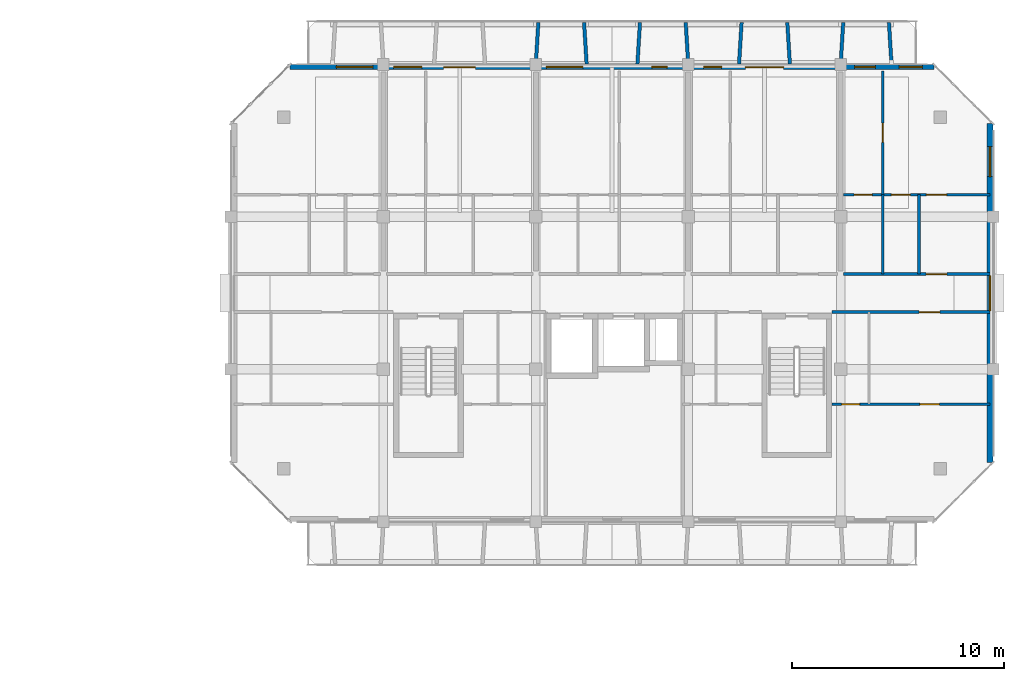
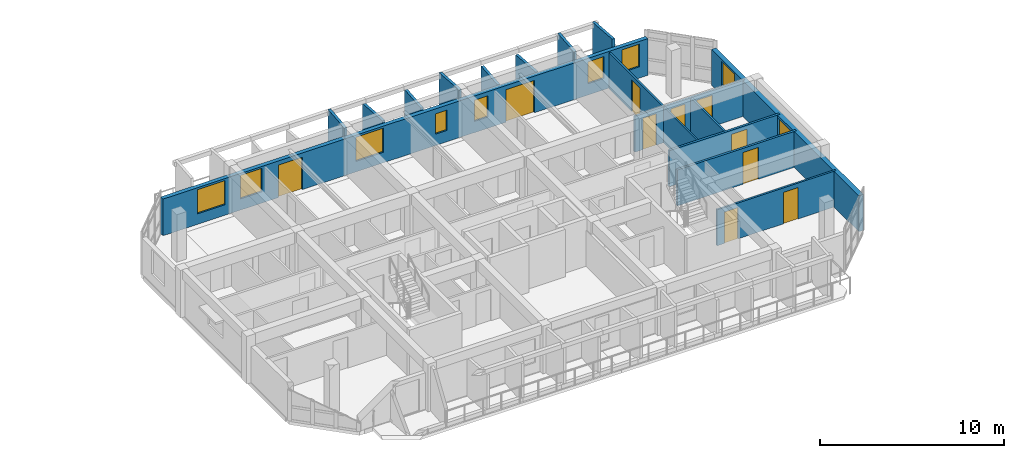
# One storey, part 27 of 43: 17 walls, 10 doors, 9 windows, 19 openings.
"""IFC4 building model written with IfcOpenShell, lengths in metres."""

from ifc_helpers import new_model, si_unit, direction, frame, frame_2d, origin, place, context, subcontext, project, spatial, rectangle, extrude, material, layer, layer_set, type_object, element, fill, save


model = new_model("IFC4")

# Units and contexts
model_context = context("Model", 3, precision=1e-05, world=origin(), true_north=direction((0.0, 1.0)))
body_context = subcontext(model_context, "Body", "Model", "MODEL_VIEW")
ifc_project = project(units=[si_unit("LENGTHUNIT", "METRE"), si_unit("AREAUNIT", "SQUARE_METRE"), si_unit("VOLUMEUNIT", "CUBIC_METRE"), si_unit("PLANEANGLEUNIT", "RADIAN"), si_unit("MASSUNIT", "GRAM", prefix="KILO")], contexts=[model_context])

# Site, building, storey
site_placement = place(None, origin())
site = spatial("IfcSite", under=ifc_project, at=site_placement, CompositionType="ELEMENT")
building_placement = place(site_placement, origin())
building = spatial("IfcBuilding", under=site, at=building_placement, Name="Ochrevale Crest", CompositionType="ELEMENT")
storey_placement = place(building_placement, frame((0.0, 0.0, 15.0)))
storey = spatial("IfcBuildingStorey", under=building, at=storey_placement, Name="L04", CompositionType="ELEMENT", Elevation=15.0)

# Wall, opening, door
ifc_material_1 = material(Name="Gypsum plasterboard", Category="gypsum")
ifc_layer_1 = layer(ifc_material_1, 0.139892578125)
ifc_layer_set_1 = layer_set([ifc_layer_1], Name="Gypsum plasterboard")
wall_type_1 = type_object("IfcWallType", Name="WL-COR-140", PredefinedType="PARTITIONING", material=ifc_layer_set_1)
wall_1_placement = place(storey_placement, frame((158.5400390625, 83.699951171875, 0.0), z_axis=(0.0, 0.0, 1.0), x_axis=(1.0, 0.0, 0.0)))
wall_1 = element("IfcWall", 1, at=wall_1_placement, inside=storey, type_object=wall_type_1, Name="Apartment D-L04-U5 corridor wall", PredefinedType="PARTITIONING", context=body_context, shape_type="SweptSolid", body=[
    extrude(rectangle(XDim=6.919921875, YDim=0.139892578125, at=frame_2d((3.4599609375, 0.0))), origin(), (0.0, 0.0, 1.0), 2.3798828125),
])
opening_1_placement = place(wall_1_placement, frame((4.875, 0.0, 0.0), z_axis=(0.0, 0.0, 1.0), x_axis=(-1.0, 0.0, 0.0)))
opening_1 = element("IfcOpeningElement", 2, at=opening_1_placement, cuts=wall_1, Name="Opening FD01", PredefinedType="OPENING", context=body_context, shape_type="SweptSolid", body=[
    extrude(rectangle(XDim=0.97998046875, YDim=2.10009765625, at=frame_2d((0.489990234375, 1.050048828125))), frame((0.0, 0.080078125, 0.0), z_axis=(0.0, -1.0, 0.0), x_axis=(1.0, 0.0, 0.0)), (0.0, 0.0, 1.0), 0.159912109375),
])
ifc_material_2 = material(Name="Solid-core FSC hardwood", Category="wood")
door_type_1 = type_object("IfcDoorType", Name="DR-APT-950", OperationType="NOTDEFINED", PredefinedType="DOOR", material=ifc_material_2)
door_1_placement = place(opening_1_placement, origin())
door_1 = element("IfcDoor", 3, at=door_1_placement, inside=storey, type_object=door_type_1, Name="Apartment D-L04-U5 entrance door", OperationType="SINGLE_SWING_RIGHT", OverallHeight=2.10009765625, OverallWidth=0.97998046875, PredefinedType="DOOR", context=body_context, shape_type="SweptSolid", body=[
    extrude(rectangle(XDim=0.97998046875, YDim=2.10009765625, at=frame_2d((0.489990234375, 1.050048828125))), frame((0.0, 0.02490234375, 0.0), z_axis=(0.0, -1.0, 0.0), x_axis=(1.0, 0.0, 0.0)), (0.0, 0.0, 1.0), 0.050048828125),
])
fill(opening_1, door_1)

wall_2_placement = place(storey_placement, frame((157.989990234375, 81.89990234375, 0.0), z_axis=(0.0, 0.0, 1.0), x_axis=(1.0, 0.0, 0.0)))
wall_2 = element("IfcWall", 4, at=wall_2_placement, inside=storey, type_object=wall_type_1, Name="Suite D-L04-CE corridor wall", PredefinedType="PARTITIONING", context=body_context, shape_type="SweptSolid", body=[
    extrude(rectangle(XDim=7.469970703125, YDim=0.139892578125, at=frame_2d((3.73486328125, 0.0))), origin(), (0.0, 0.0, 1.0), 2.3798828125),
])
opening_2_placement = place(wall_2_placement, frame((5.10009765625, 0.0, 0.0), z_axis=(0.0, 0.0, 1.0), x_axis=(-1.0, 0.0, 0.0)))
opening_2 = element("IfcOpeningElement", 5, at=opening_2_placement, cuts=wall_2, Name="Opening FD01", PredefinedType="OPENING", context=body_context, shape_type="SweptSolid", body=[
    extrude(rectangle(XDim=0.97998046875, YDim=2.10009765625, at=frame_2d((0.489990234375, 1.050048828125))), frame((0.0, 0.080078125, 0.0), z_axis=(0.0, -1.0, 0.0), x_axis=(1.0, 0.0, 0.0)), (0.0, 0.0, 1.0), 0.159912109375),
])
door_2_placement = place(opening_2_placement, origin())
door_2 = element("IfcDoor", 6, at=door_2_placement, inside=storey, type_object=door_type_1, Name="Suite D-L04-CE entrance door", OperationType="SINGLE_SWING_RIGHT", OverallHeight=2.10009765625, OverallWidth=0.97998046875, PredefinedType="DOOR", context=body_context, shape_type="SweptSolid", body=[
    extrude(rectangle(XDim=0.97998046875, YDim=2.10009765625, at=frame_2d((0.489990234375, 1.050048828125))), frame((0.0, 0.02490234375, 0.0), z_axis=(0.0, -1.0, 0.0), x_axis=(1.0, 0.0, 0.0)), (0.0, 0.0, 1.0), 0.050048828125),
])
fill(opening_2, door_2)

# Wall, openings, windows
ifc_material_3 = material(Name="Clay face brickwork", Category="masonry")
ifc_layer_2 = layer(ifc_material_3, 0.2900390625)
ifc_layer_set_2 = layer_set([ifc_layer_2], Name="Clay face brickwork")
wall_type_2 = type_object("IfcWallType", Name="WL-EXT-BRICK-290", PredefinedType="SOLIDWALL", material=ifc_layer_set_2)
wall_3_placement = place(storey_placement, frame((165.455078125, 74.800048828125, 0.0), z_axis=(0.0, 0.0, 1.0), x_axis=(0.0, 1.0, 0.0)))
wall_3 = element("IfcWall", 7, at=wall_3_placement, inside=storey, type_object=wall_type_2, Name="Block D L04 external facade wall E3", PredefinedType="SOLIDWALL", context=body_context, shape_type="SweptSolid", body=[
    extrude(rectangle(XDim=16.0, YDim=0.2900390625, at=frame_2d((8.0, 0.0))), origin(), (0.0, 0.0, 1.0), 2.3798828125),
])
opening_3_placement = place(wall_3_placement, frame((7.175048828125, 0.0, 1.050048828125)))
opening_3 = element("IfcOpeningElement", 8, at=opening_3_placement, cuts=wall_3, Name="Opening W19", PredefinedType="OPENING", context=body_context, shape_type="SweptSolid", body=[
    extrude(rectangle(XDim=1.64990234375, YDim=1.14990234375, at=frame_2d((0.824951171875, 0.574951171875))), frame((0.0, 0.155029296875, 0.0), z_axis=(0.0, -1.0, 0.0), x_axis=(1.0, 0.0, 0.0)), (0.0, 0.0, 1.0), 0.31005859375),
])
opening_4_placement = place(wall_3_placement, frame((13.5, 0.0, 0.669921875)))
opening_4 = element("IfcOpeningElement", 9, at=opening_4_placement, cuts=wall_3, Name="Opening W31", PredefinedType="OPENING", context=body_context, shape_type="SweptSolid", body=[
    extrude(rectangle(XDim=1.419921875, YDim=1.60009765625, at=frame_2d((0.7099609375, 0.800048828125))), frame((0.0, 0.155029296875, 0.0), z_axis=(0.0, -1.0, 0.0), x_axis=(1.0, 0.0, 0.0)), (0.0, 0.0, 1.0), 0.31005859375),
])
ifc_material_4 = material(Name="Anodised aluminium 6063-T5 and low-E double glazing", Category="aluminium")
window_type_1 = type_object("IfcWindowType", Name="WIN-W19", PartitioningType="SINGLE_PANEL", PredefinedType="WINDOW", material=ifc_material_4)
window_1_placement = place(opening_3_placement, origin())
window_1 = element("IfcWindow", 10, at=window_1_placement, inside=storey, type_object=window_type_1, Name="Block D L04 corridor end daylight window E", OverallHeight=1.14990234375, OverallWidth=1.64990234375, PartitioningType="SINGLE_PANEL", PredefinedType="WINDOW", context=body_context, shape_type="SweptSolid", body=[
    extrude(rectangle(XDim=1.64990234375, YDim=1.14990234375, at=frame_2d((0.824951171875, 0.574951171875))), frame((0.0, 0.030029296875, 0.0), z_axis=(0.0, -1.0, 0.0), x_axis=(1.0, 0.0, 0.0)), (0.0, 0.0, 1.0), 0.06005859375),
])
fill(opening_3, window_1)
window_type_2 = type_object("IfcWindowType", Name="WIN-W31", PartitioningType="SINGLE_PANEL", PredefinedType="WINDOW", material=ifc_material_4)
window_2_placement = place(opening_4_placement, origin())
window_2 = element("IfcWindow", 11, at=window_2_placement, inside=storey, type_object=window_type_2, Name="Block D L04 side suite window E", OverallHeight=1.60009765625, OverallWidth=1.419921875, PartitioningType="SINGLE_PANEL", PredefinedType="WINDOW", context=body_context, shape_type="SweptSolid", body=[
    extrude(rectangle(XDim=1.419921875, YDim=1.60009765625, at=frame_2d((0.7099609375, 0.800048828125))), frame((0.0, 0.030029296875, 0.0), z_axis=(0.0, -1.0, 0.0), x_axis=(1.0, 0.0, 0.0)), (0.0, 0.0, 1.0), 0.06005859375),
])
fill(opening_4, window_2)

# Wall, openings, doors, windows
ifc_material_5 = material(Name="Precast concrete C40/50", Category="concrete")
ifc_layer_3 = layer(ifc_material_5, 0.25)
ifc_layer_set_3 = layer_set([ifc_layer_3], Name="Precast concrete C40/50")
wall_type_3 = type_object("IfcWallType", Name="WL-EXT-GOLD-250", PredefinedType="SOLIDWALL", material=ifc_layer_set_3)
wall_4_placement = place(storey_placement, frame((162.800048828125, 93.47509765625, 0.0), z_axis=(0.0, 0.0, 1.0), x_axis=(-1.0, 0.0, 0.0)))
wall_4 = element("IfcWall", 12, at=wall_4_placement, inside=storey, type_object=wall_type_3, Name="Block D L04 external facade wall E5", PredefinedType="SOLIDWALL", context=body_context, shape_type="SweptSolid", body=[
    extrude(rectangle(XDim=30.400146484375, YDim=0.25, at=frame_2d((15.2001953125, 0.0))), origin(), (0.0, 0.0, 1.0), 2.429931640625),
])
opening_5_placement = place(wall_4_placement, frame((23.14990234375, 0.0, 0.0), z_axis=(0.0, 0.0, 1.0), x_axis=(-1.0, 0.0, 0.0)))
opening_5 = element("IfcOpeningElement", 13, at=opening_5_placement, cuts=wall_4, Name="Opening BD01", PredefinedType="OPENING", context=body_context, shape_type="SweptSolid", body=[
    extrude(rectangle(XDim=1.5, YDim=2.14990234375, at=frame_2d((0.75, 1.074951171875))), frame((0.0, 0.135009765625, 0.0), z_axis=(0.0, -1.0, 0.0), x_axis=(1.0, 0.0, 0.0)), (0.0, 0.0, 1.0), 0.27001953125),
])
opening_6_placement = place(wall_4_placement, frame((8.900146484375, 0.0, 0.0), z_axis=(0.0, 0.0, 1.0), x_axis=(-1.0, 0.0, 0.0)))
opening_6 = element("IfcOpeningElement", 14, at=opening_6_placement, cuts=wall_4, Name="Opening BD03", PredefinedType="OPENING", context=body_context, shape_type="SweptSolid", body=[
    extrude(rectangle(XDim=1.800048828125, YDim=2.14990234375, at=frame_2d((0.89990234375, 1.074951171875))), frame((0.0, 0.135009765625, 0.0), z_axis=(0.0, -1.0, 0.0), x_axis=(1.0, 0.0, 0.0)), (0.0, 0.0, 1.0), 0.27001953125),
])
opening_7_placement = place(wall_4_placement, frame((26.49755859375, 0.0, 0.699951171875)))
opening_7 = element("IfcOpeningElement", 15, at=opening_7_placement, cuts=wall_4, Name="Opening W10", PredefinedType="OPENING", context=body_context, shape_type="SweptSolid", body=[
    extrude(rectangle(XDim=1.719970703125, YDim=1.60009765625, at=frame_2d((0.85986328125, 0.800048828125))), frame((0.0, 0.135009765625, 0.0), z_axis=(0.0, -1.0, 0.0), x_axis=(1.0, 0.0, 0.0)), (0.0, 0.0, 1.0), 0.27001953125),
])
opening_8_placement = place(wall_4_placement, frame((24.1826171875, 0.0, 0.75)))
opening_8 = element("IfcOpeningElement", 16, at=opening_8_placement, cuts=wall_4, Name="Opening W07", PredefinedType="OPENING", context=body_context, shape_type="SweptSolid", body=[
    extrude(rectangle(XDim=1.340087890625, YDim=1.550048828125, at=frame_2d((0.669921875, 0.77490234375))), frame((0.0, 0.135009765625, 0.0), z_axis=(0.0, -1.0, 0.0), x_axis=(1.0, 0.0, 0.0)), (0.0, 0.0, 1.0), 0.27001953125),
])
opening_9_placement = place(wall_4_placement, frame((16.58251953125, 0.0, 0.699951171875)))
opening_9 = element("IfcOpeningElement", 17, at=opening_9_placement, cuts=wall_4, Name="Opening W10", PredefinedType="OPENING", context=body_context, shape_type="SweptSolid", body=[
    extrude(rectangle(XDim=1.719970703125, YDim=1.60009765625, at=frame_2d((0.85986328125, 0.800048828125))), frame((0.0, 0.135009765625, 0.0), z_axis=(0.0, -1.0, 0.0), x_axis=(1.0, 0.0, 0.0)), (0.0, 0.0, 1.0), 0.27001953125),
])
opening_10_placement = place(wall_4_placement, frame((12.597412109375, 0.0, 0.75)))
opening_10 = element("IfcOpeningElement", 18, at=opening_10_placement, cuts=wall_4, Name="Opening W02", PredefinedType="OPENING", context=body_context, shape_type="SweptSolid", body=[
    extrude(rectangle(XDim=0.719970703125, YDim=1.35009765625, at=frame_2d((0.35986328125, 0.675048828125))), frame((0.0, 0.135009765625, 0.0), z_axis=(0.0, -1.0, 0.0), x_axis=(1.0, 0.0, 0.0)), (0.0, 0.0, 1.0), 0.27001953125),
])
opening_11_placement = place(wall_4_placement, frame((10.027587890625, 0.0, 0.75)))
opening_11 = element("IfcOpeningElement", 19, at=opening_11_placement, cuts=wall_4, Name="Opening W03", PredefinedType="OPENING", context=body_context, shape_type="SweptSolid", body=[
    extrude(rectangle(XDim=0.85009765625, YDim=1.39990234375, at=frame_2d((0.425048828125, 0.699951171875))), frame((0.0, 0.135009765625, 0.0), z_axis=(0.0, -1.0, 0.0), x_axis=(1.0, 0.0, 0.0)), (0.0, 0.0, 1.0), 0.27001953125),
])
opening_12_placement = place(wall_4_placement, frame((2.762451171875, 0.0, 0.75)))
opening_12 = element("IfcOpeningElement", 20, at=opening_12_placement, cuts=wall_4, Name="Opening W04", PredefinedType="OPENING", context=body_context, shape_type="SweptSolid", body=[
    extrude(rectangle(XDim=0.97998046875, YDim=1.449951171875, at=frame_2d((0.489990234375, 0.72509765625))), frame((0.0, 0.135009765625, 0.0), z_axis=(0.0, -1.0, 0.0), x_axis=(1.0, 0.0, 0.0)), (0.0, 0.0, 1.0), 0.27001953125),
])
opening_13_placement = place(wall_4_placement, frame((0.534912109375, 0.0, 0.75)))
opening_13 = element("IfcOpeningElement", 21, at=opening_13_placement, cuts=wall_4, Name="Opening W05", PredefinedType="OPENING", context=body_context, shape_type="SweptSolid", body=[
    extrude(rectangle(XDim=1.10009765625, YDim=1.5, at=frame_2d((0.550048828125, 0.75))), frame((0.0, 0.135009765625, 0.0), z_axis=(0.0, -1.0, 0.0), x_axis=(1.0, 0.0, 0.0)), (0.0, 0.0, 1.0), 0.27001953125),
])
ifc_material_6 = material(Name="Anodised aluminium 6063-T5 and toughened glass", Category="aluminium")
door_type_2 = type_object("IfcDoorType", Name="DR-BAL-1500", OperationType="NOTDEFINED", PredefinedType="DOOR", material=ifc_material_6)
door_3_placement = place(opening_5_placement, origin())
door_3 = element("IfcDoor", 22, at=door_3_placement, inside=storey, type_object=door_type_2, Name="Block D L04 balcony door N2", OperationType="SINGLE_SWING_LEFT", OverallHeight=2.14990234375, OverallWidth=1.5, PredefinedType="DOOR", context=body_context, shape_type="SweptSolid", body=[
    extrude(rectangle(XDim=1.5, YDim=2.14990234375, at=frame_2d((0.75, 1.074951171875))), frame((0.0, 0.02490234375, 0.0), z_axis=(0.0, -1.0, 0.0), x_axis=(1.0, 0.0, 0.0)), (0.0, 0.0, 1.0), 0.050048828125),
])
fill(opening_5, door_3)
door_type_3 = type_object("IfcDoorType", Name="DR-BAL-1800", OperationType="NOTDEFINED", PredefinedType="DOOR", material=ifc_material_6)
door_4_placement = place(opening_6_placement, origin())
door_4 = element("IfcDoor", 23, at=door_4_placement, inside=storey, type_object=door_type_3, Name="Block D L04 balcony door N4", OperationType="SINGLE_SWING_RIGHT", OverallHeight=2.14990234375, OverallWidth=1.800048828125, PredefinedType="DOOR", context=body_context, shape_type="SweptSolid", body=[
    extrude(rectangle(XDim=1.800048828125, YDim=2.14990234375, at=frame_2d((0.89990234375, 1.074951171875))), frame((0.0, 0.02490234375, 0.0), z_axis=(0.0, -1.0, 0.0), x_axis=(1.0, 0.0, 0.0)), (0.0, 0.0, 1.0), 0.050048828125),
])
fill(opening_6, door_4)
window_type_3 = type_object("IfcWindowType", Name="WIN-W02", PartitioningType="SINGLE_PANEL", PredefinedType="WINDOW", material=ifc_material_4)
window_3_placement = place(opening_10_placement, origin())
window_3 = element("IfcWindow", 24, at=window_3_placement, inside=storey, type_object=window_type_3, Name="Block D L04 Apartment D-L04-U3 One Bedroom Living Room window", OverallHeight=1.35009765625, OverallWidth=0.719970703125, PartitioningType="SINGLE_PANEL", PredefinedType="WINDOW", context=body_context, shape_type="SweptSolid", body=[
    extrude(rectangle(XDim=0.719970703125, YDim=1.35009765625, at=frame_2d((0.35986328125, 0.675048828125))), frame((0.0, 0.030029296875, 0.0), z_axis=(0.0, -1.0, 0.0), x_axis=(1.0, 0.0, 0.0)), (0.0, 0.0, 1.0), 0.06005859375),
])
fill(opening_10, window_3)
window_type_4 = type_object("IfcWindowType", Name="WIN-W03", PartitioningType="SINGLE_PANEL", PredefinedType="WINDOW", material=ifc_material_4)
window_4_placement = place(opening_11_placement, origin())
window_4 = element("IfcWindow", 25, at=window_4_placement, inside=storey, type_object=window_type_4, Name="Block D L04 Apartment D-L04-U4 Twin Bedroom window", OverallHeight=1.39990234375, OverallWidth=0.85009765625, PartitioningType="SINGLE_PANEL", PredefinedType="WINDOW", context=body_context, shape_type="SweptSolid", body=[
    extrude(rectangle(XDim=0.85009765625, YDim=1.39990234375, at=frame_2d((0.425048828125, 0.699951171875))), frame((0.0, 0.030029296875, 0.0), z_axis=(0.0, -1.0, 0.0), x_axis=(1.0, 0.0, 0.0)), (0.0, 0.0, 1.0), 0.06005859375),
])
fill(opening_11, window_4)
window_type_5 = type_object("IfcWindowType", Name="WIN-W04", PartitioningType="SINGLE_PANEL", PredefinedType="WINDOW", material=ifc_material_4)
window_5_placement = place(opening_12_placement, origin())
window_5 = element("IfcWindow", 26, at=window_5_placement, inside=storey, type_object=window_type_5, Name="Block D L04 Apartment D-L04-U5 Double Bedroom window", OverallHeight=1.449951171875, OverallWidth=0.97998046875, PartitioningType="SINGLE_PANEL", PredefinedType="WINDOW", context=body_context, shape_type="SweptSolid", body=[
    extrude(rectangle(XDim=0.97998046875, YDim=1.449951171875, at=frame_2d((0.489990234375, 0.72509765625))), frame((0.0, 0.030029296875, 0.0), z_axis=(0.0, -1.0, 0.0), x_axis=(1.0, 0.0, 0.0)), (0.0, 0.0, 1.0), 0.06005859375),
])
fill(opening_12, window_5)
window_type_6 = type_object("IfcWindowType", Name="WIN-W05", PartitioningType="SINGLE_PANEL", PredefinedType="WINDOW", material=ifc_material_4)
window_6_placement = place(opening_13_placement, origin())
window_6 = element("IfcWindow", 27, at=window_6_placement, inside=storey, type_object=window_type_6, Name="Block D L04 Apartment D-L04-U5 Two Bedroom Living Room window", OverallHeight=1.5, OverallWidth=1.10009765625, PartitioningType="SINGLE_PANEL", PredefinedType="WINDOW", context=body_context, shape_type="SweptSolid", body=[
    extrude(rectangle(XDim=1.10009765625, YDim=1.5, at=frame_2d((0.550048828125, 0.75))), frame((0.0, 0.030029296875, 0.0), z_axis=(0.0, -1.0, 0.0), x_axis=(1.0, 0.0, 0.0)), (0.0, 0.0, 1.0), 0.06005859375),
])
fill(opening_13, window_6)
window_type_7 = type_object("IfcWindowType", Name="WIN-W07", PartitioningType="SINGLE_PANEL", PredefinedType="WINDOW", material=ifc_material_4)
window_7_placement = place(opening_8_placement, origin())
window_7 = element("IfcWindow", 28, at=window_7_placement, inside=storey, type_object=window_type_7, Name="Block D L04 Apartment D-L04-U2 Double Bedroom window", OverallHeight=1.550048828125, OverallWidth=1.340087890625, PartitioningType="SINGLE_PANEL", PredefinedType="WINDOW", context=body_context, shape_type="SweptSolid", body=[
    extrude(rectangle(XDim=1.340087890625, YDim=1.550048828125, at=frame_2d((0.669921875, 0.77490234375))), frame((0.0, 0.030029296875, 0.0), z_axis=(0.0, -1.0, 0.0), x_axis=(1.0, 0.0, 0.0)), (0.0, 0.0, 1.0), 0.06005859375),
])
fill(opening_8, window_7)
window_type_8 = type_object("IfcWindowType", Name="WIN-W10", PartitioningType="SINGLE_PANEL", PredefinedType="WINDOW", material=ifc_material_4)
window_8_placement = place(opening_7_placement, origin())
window_8 = element("IfcWindow", 29, at=window_8_placement, inside=storey, type_object=window_type_8, Name="Block D L04 Studio D-L04-U1 Living Room window", OverallHeight=1.60009765625, OverallWidth=1.719970703125, PartitioningType="SINGLE_PANEL", PredefinedType="WINDOW", context=body_context, shape_type="SweptSolid", body=[
    extrude(rectangle(XDim=1.719970703125, YDim=1.60009765625, at=frame_2d((0.85986328125, 0.800048828125))), frame((0.0, 0.030029296875, 0.0), z_axis=(0.0, -1.0, 0.0), x_axis=(1.0, 0.0, 0.0)), (0.0, 0.0, 1.0), 0.06005859375),
])
fill(opening_7, window_8)
window_9_placement = place(opening_9_placement, origin())
window_9 = element("IfcWindow", 30, at=window_9_placement, inside=storey, type_object=window_type_8, Name="Block D L04 Apartment D-L04-U3 Master Bedroom window", OverallHeight=1.60009765625, OverallWidth=1.719970703125, PartitioningType="SINGLE_PANEL", PredefinedType="WINDOW", context=body_context, shape_type="SweptSolid", body=[
    extrude(rectangle(XDim=1.719970703125, YDim=1.60009765625, at=frame_2d((0.85986328125, 0.800048828125))), frame((0.0, 0.030029296875, 0.0), z_axis=(0.0, -1.0, 0.0), x_axis=(1.0, 0.0, 0.0)), (0.0, 0.0, 1.0), 0.06005859375),
])
fill(opening_9, window_9)

# Walls
ifc_layer_4 = layer(ifc_material_5, 0.1650390625)
ifc_layer_set_4 = layer_set([ifc_layer_4], Name="Precast concrete C40/50")
wall_type_4 = type_object("IfcWallType", Name="WL-HC-CHEEK-165", PredefinedType="ELEMENTEDWALL", material=ifc_layer_set_4)
wall_5_placement = place(storey_placement, frame((144.0, 93.6201171875, 0.0), z_axis=(0.0, 0.0, 1.0), x_axis=(0.061170732449, 0.998127317276, 0.0)))
element("IfcWall", 31, at=wall_5_placement, inside=storey, type_object=wall_type_4, Name="Block D L04 N precast honeycomb cheek 5", PredefinedType="ELEMENTEDWALL", context=body_context, shape_type="SweptSolid", body=[
    extrude(rectangle(XDim=1.963623046875, YDim=0.1650390625, at=frame_2d((0.98193359375, 0.0))), origin(), (0.0, 0.0, 1.0), 2.949951171875),
])
for number, where, z_axis, x_axis, name in (
    (32, (146.39990234375, 93.6201171875, 0.0), (0.0, 0.0, 1.0), (-0.061046865508, 0.998134900808, 0.0), "Block D L04 N precast honeycomb cheek 6"),
    (33, (148.800048828125, 93.6201171875, 0.0), (0.0, 0.0, 1.0), (0.061046865508, 0.998134900808, 0.0), "Block D L04 N precast honeycomb cheek 7"),
):
    element("IfcWall", number, at=place(storey_placement, frame(where, z_axis=z_axis, x_axis=x_axis)), inside=storey, type_object=wall_type_4, Name=name, PredefinedType="ELEMENTEDWALL", context=body_context, shape_type="SweptSolid", body=[
        extrude(rectangle(XDim=1.963623046875, YDim=0.1650390625, at=frame_2d((0.98193359375, 0.0))), origin(), (0.0, 0.0, 1.0), 2.580078125),
    ])
wall_6_placement = place(storey_placement, frame((151.199951171875, 93.6201171875, 0.0), z_axis=(0.0, 0.0, 1.0), x_axis=(-0.061046865508, 0.998134900808, 0.0)))
element("IfcWall", 34, at=wall_6_placement, inside=storey, type_object=wall_type_4, Name="Block D L04 N precast honeycomb cheek 8", PredefinedType="ELEMENTEDWALL", context=body_context, shape_type="SweptSolid", body=[
    extrude(rectangle(XDim=1.963623046875, YDim=0.1650390625, at=frame_2d((0.98193359375, 0.0))), origin(), (0.0, 0.0, 1.0), 2.949951171875),
])
for number, where, z_axis, x_axis, name in (
    (35, (153.60009765625, 93.6201171875, 0.0), (0.0, 0.0, 1.0), (0.061046865508, 0.998134900808, 0.0), "Block D L04 N precast honeycomb cheek 9"),
    (36, (156.0, 93.6201171875, 0.0), (0.0, 0.0, 1.0), (-0.061170732449, 0.998127317276, 0.0), "Block D L04 N precast honeycomb cheek 10"),
):
    element("IfcWall", number, at=place(storey_placement, frame(where, z_axis=z_axis, x_axis=x_axis)), inside=storey, type_object=wall_type_4, Name=name, PredefinedType="ELEMENTEDWALL", context=body_context, shape_type="SweptSolid", body=[
        extrude(rectangle(XDim=1.963623046875, YDim=0.1650390625, at=frame_2d((0.98193359375, 0.0))), origin(), (0.0, 0.0, 1.0), 2.449951171875),
    ])
for number, where, z_axis, x_axis, name in (
    (37, (158.39990234375, 93.6201171875, 0.0), (0.0, 0.0, 1.0), (0.061170732449, 0.998127317276, 0.0), "Block D L04 N precast honeycomb cheek 11"),
    (38, (160.800048828125, 93.6201171875, 0.0), (0.0, 0.0, 1.0), (-0.061170732449, 0.998127317276, 0.0), "Block D L04 N precast honeycomb cheek 12"),
):
    element("IfcWall", number, at=place(storey_placement, frame(where, z_axis=z_axis, x_axis=x_axis)), inside=storey, type_object=wall_type_4, Name=name, PredefinedType="ELEMENTEDWALL", context=body_context, shape_type="SweptSolid", body=[
        extrude(rectangle(XDim=1.963623046875, YDim=0.1650390625, at=frame_2d((0.98193359375, 0.0))), origin(), (0.0, 0.0, 1.0), 2.949951171875),
    ])
ifc_layer_5 = layer(ifc_material_1, 0.1201171875)
ifc_layer_set_5 = layer_set([ifc_layer_5], Name="Gypsum plasterboard")
wall_type_5 = type_object("IfcWallType", Name="WL-PART-120", PredefinedType="PARTITIONING", material=ifc_layer_set_5)
wall_7_placement = place(storey_placement, frame((162.10009765625, 83.699951171875, 0.0), z_axis=(0.0, 0.0, 1.0), x_axis=(0.0, 1.0, 0.0)))
element("IfcWall", 39, at=wall_7_placement, inside=storey, type_object=wall_type_5, Name="Apartment D-L04-U5 kitchen-foyer wall", PredefinedType="PARTITIONING", context=body_context, shape_type="SweptSolid", body=[
    extrude(rectangle(XDim=3.75, YDim=0.1201171875, at=frame_2d((1.875, 0.0))), origin(), (0.0, 0.0, 1.0), 2.375),
])

# Wall, openings, doors
wall_8_placement = place(storey_placement, frame((158.5400390625, 87.449951171875, 0.0), z_axis=(0.0, 0.0, 1.0), x_axis=(1.0, 0.0, 0.0)))
wall_8 = element("IfcWall", 40, at=wall_8_placement, inside=storey, type_object=wall_type_5, Name="Apartment D-L04-U5 central partition", PredefinedType="PARTITIONING", context=body_context, shape_type="SweptSolid", body=[
    extrude(rectangle(XDim=6.919921875, YDim=0.1201171875, at=frame_2d((3.4599609375, 0.0))), origin(), (0.0, 0.0, 1.0), 2.3798828125),
])
opening_14_placement = place(wall_8_placement, frame((0.5, 0.0, 0.0)))
opening_14 = element("IfcOpeningElement", 41, at=opening_14_placement, cuts=wall_8, Name="Opening ID01", PredefinedType="OPENING", context=body_context, shape_type="SweptSolid", body=[
    extrude(rectangle(XDim=0.85009765625, YDim=2.080078125, at=frame_2d((0.425048828125, 1.0400390625))), frame((0.0, 0.070068359375, 0.0), z_axis=(0.0, -1.0, 0.0), x_axis=(1.0, 0.0, 0.0)), (0.0, 0.0, 1.0), 0.14013671875),
])
opening_15_placement = place(wall_8_placement, frame((3.15478515625, 0.0, 0.0), z_axis=(0.0, 0.0, 1.0), x_axis=(-1.0, 0.0, 0.0)))
opening_15 = element("IfcOpeningElement", 42, at=opening_15_placement, cuts=wall_8, Name="Opening ID02", PredefinedType="OPENING", context=body_context, shape_type="SweptSolid", body=[
    extrude(rectangle(XDim=0.89990234375, YDim=2.080078125, at=frame_2d((0.449951171875, 1.0400390625))), frame((0.0, 0.070068359375, 0.0), z_axis=(0.0, -1.0, 0.0), x_axis=(1.0, 0.0, 0.0)), (0.0, 0.0, 1.0), 0.14013671875),
])
opening_16_placement = place(wall_8_placement, frame((3.909912109375, 0.0, 0.0)))
opening_16 = element("IfcOpeningElement", 43, at=opening_16_placement, cuts=wall_8, Name="Opening ID06", PredefinedType="OPENING", context=body_context, shape_type="SweptSolid", body=[
    extrude(rectangle(XDim=0.949951171875, YDim=2.080078125, at=frame_2d((0.47509765625, 1.0400390625))), frame((0.0, 0.070068359375, 0.0), z_axis=(0.0, -1.0, 0.0), x_axis=(1.0, 0.0, 0.0)), (0.0, 0.0, 1.0), 0.14013671875),
])
door_type_4 = type_object("IfcDoorType", Name="DR-INT-900", OperationType="NOTDEFINED", PredefinedType="DOOR", material=ifc_material_2)
door_5_placement = place(opening_15_placement, origin())
door_5 = element("IfcDoor", 44, at=door_5_placement, inside=storey, type_object=door_type_4, Name="Apartment D-L04-U5 Kitchen door", OperationType="SINGLE_SWING_RIGHT", OverallHeight=2.080078125, OverallWidth=0.89990234375, PredefinedType="DOOR", context=body_context, shape_type="SweptSolid", body=[
    extrude(rectangle(XDim=0.89990234375, YDim=2.080078125, at=frame_2d((0.449951171875, 1.0400390625))), frame((0.0, 0.02490234375, 0.0), z_axis=(0.0, -1.0, 0.0), x_axis=(1.0, 0.0, 0.0)), (0.0, 0.0, 1.0), 0.050048828125),
])
fill(opening_15, door_5)
door_type_5 = type_object("IfcDoorType", Name="DR-INT-950", OperationType="NOTDEFINED", PredefinedType="DOOR", material=ifc_material_2)
door_6_placement = place(opening_16_placement, origin())
door_6 = element("IfcDoor", 45, at=door_6_placement, inside=storey, type_object=door_type_5, Name="Apartment D-L04-U5 Living Foyer door", OperationType="SINGLE_SWING_LEFT", OverallHeight=2.080078125, OverallWidth=0.949951171875, PredefinedType="DOOR", context=body_context, shape_type="SweptSolid", body=[
    extrude(rectangle(XDim=0.949951171875, YDim=2.080078125, at=frame_2d((0.47509765625, 1.0400390625))), frame((0.0, 0.02490234375, 0.0), z_axis=(0.0, -1.0, 0.0), x_axis=(1.0, 0.0, 0.0)), (0.0, 0.0, 1.0), 0.050048828125),
])
fill(opening_16, door_6)
door_type_6 = type_object("IfcDoorType", Name="DR-WC-850", OperationType="NOTDEFINED", PredefinedType="DOOR", material=ifc_material_2)
door_7_placement = place(opening_14_placement, origin())
door_7 = element("IfcDoor", 46, at=door_7_placement, inside=storey, type_object=door_type_6, Name="Apartment D-L04-U5 Bathroom door", OperationType="SINGLE_SWING_LEFT", OverallHeight=2.080078125, OverallWidth=0.85009765625, PredefinedType="DOOR", context=body_context, shape_type="SweptSolid", body=[
    extrude(rectangle(XDim=0.85009765625, YDim=2.080078125, at=frame_2d((0.425048828125, 1.0400390625))), frame((0.0, 0.02490234375, 0.0), z_axis=(0.0, -1.0, 0.0), x_axis=(1.0, 0.0, 0.0)), (0.0, 0.0, 1.0), 0.050048828125),
])
fill(opening_14, door_7)

# Wall, opening, door
wall_9_placement = place(storey_placement, frame((160.389892578125, 87.449951171875, 0.0), z_axis=(0.0, 0.0, 1.0), x_axis=(0.0, 1.0, 0.0)))
wall_9 = element("IfcWall", 47, at=wall_9_placement, inside=storey, type_object=wall_type_5, Name="Apartment D-L04-U5 bedroom partition", PredefinedType="PARTITIONING", context=body_context, shape_type="SweptSolid", body=[
    extrude(rectangle(XDim=5.85009765625, YDim=0.1201171875, at=frame_2d((2.925048828125, 0.0))), origin(), (0.0, 0.0, 1.0), 2.3798828125),
])
opening_17_placement = place(wall_9_placement, frame((3.375, 0.0, 0.0), z_axis=(0.0, 0.0, 1.0), x_axis=(-1.0, 0.0, 0.0)))
opening_17 = element("IfcOpeningElement", 48, at=opening_17_placement, cuts=wall_9, Name="Opening ID02", PredefinedType="OPENING", context=body_context, shape_type="SweptSolid", body=[
    extrude(rectangle(XDim=0.89990234375, YDim=2.080078125, at=frame_2d((0.449951171875, 1.0400390625))), frame((0.0, 0.070068359375, 0.0), z_axis=(0.0, -1.0, 0.0), x_axis=(1.0, 0.0, 0.0)), (0.0, 0.0, 1.0), 0.14013671875),
])
door_8_placement = place(opening_17_placement, origin())
door_8 = element("IfcDoor", 49, at=door_8_placement, inside=storey, type_object=door_type_4, Name="Apartment D-L04-U5 Double Bedroom door", OperationType="SINGLE_SWING_RIGHT", OverallHeight=2.080078125, OverallWidth=0.89990234375, PredefinedType="DOOR", context=body_context, shape_type="SweptSolid", body=[
    extrude(rectangle(XDim=0.89990234375, YDim=2.080078125, at=frame_2d((0.449951171875, 1.0400390625))), frame((0.0, 0.02490234375, 0.0), z_axis=(0.0, -1.0, 0.0), x_axis=(1.0, 0.0, 0.0)), (0.0, 0.0, 1.0), 0.050048828125),
])
fill(opening_17, door_8)

# Wall, openings, doors
wall_10_placement = place(storey_placement, frame((157.989990234375, 77.550048828125, 0.0), z_axis=(0.0, 0.0, 1.0), x_axis=(1.0, 0.0, 0.0)))
wall_10 = element("IfcWall", 50, at=wall_10_placement, inside=storey, type_object=wall_type_5, Name="Suite D-L04-CE internal wall", PredefinedType="PARTITIONING", context=body_context, shape_type="SweptSolid", body=[
    extrude(rectangle(XDim=7.469970703125, YDim=0.1201171875, at=frame_2d((3.73486328125, 0.0))), origin(), (0.0, 0.0, 1.0), 2.3798828125),
])
opening_18_placement = place(wall_10_placement, frame((0.449951171875, 0.0, 0.0)))
opening_18 = element("IfcOpeningElement", 51, at=opening_18_placement, cuts=wall_10, Name="Opening ID01", PredefinedType="OPENING", context=body_context, shape_type="SweptSolid", body=[
    extrude(rectangle(XDim=0.85009765625, YDim=2.080078125, at=frame_2d((0.425048828125, 1.0400390625))), frame((0.0, 0.070068359375, 0.0), z_axis=(0.0, -1.0, 0.0), x_axis=(1.0, 0.0, 0.0)), (0.0, 0.0, 1.0), 0.14013671875),
])
opening_19_placement = place(wall_10_placement, frame((5.06982421875, 0.0, 0.0), z_axis=(0.0, 0.0, 1.0), x_axis=(-1.0, 0.0, 0.0)))
opening_19 = element("IfcOpeningElement", 52, at=opening_19_placement, cuts=wall_10, Name="Opening ID04", PredefinedType="OPENING", context=body_context, shape_type="SweptSolid", body=[
    extrude(rectangle(XDim=0.919921875, YDim=2.080078125, at=frame_2d((0.4599609375, 1.0400390625))), frame((0.0, 0.070068359375, 0.0), z_axis=(0.0, -1.0, 0.0), x_axis=(1.0, 0.0, 0.0)), (0.0, 0.0, 1.0), 0.14013671875),
])
door_type_7 = type_object("IfcDoorType", Name="DR-INT-920", OperationType="NOTDEFINED", PredefinedType="DOOR", material=ifc_material_2)
door_9_placement = place(opening_19_placement, origin())
door_9 = element("IfcDoor", 53, at=door_9_placement, inside=storey, type_object=door_type_7, Name="Suite D-L04-CE Master Bedroom door", OperationType="SINGLE_SWING_RIGHT", OverallHeight=2.080078125, OverallWidth=0.919921875, PredefinedType="DOOR", context=body_context, shape_type="SweptSolid", body=[
    extrude(rectangle(XDim=0.919921875, YDim=2.080078125, at=frame_2d((0.4599609375, 1.0400390625))), frame((0.0, 0.02490234375, 0.0), z_axis=(0.0, -1.0, 0.0), x_axis=(1.0, 0.0, 0.0)), (0.0, 0.0, 1.0), 0.050048828125),
])
fill(opening_19, door_9)
door_10_placement = place(opening_18_placement, origin())
door_10 = element("IfcDoor", 54, at=door_10_placement, inside=storey, type_object=door_type_6, Name="Suite D-L04-CE Bathroom door", OperationType="SINGLE_SWING_LEFT", OverallHeight=2.080078125, OverallWidth=0.85009765625, PredefinedType="DOOR", context=body_context, shape_type="SweptSolid", body=[
    extrude(rectangle(XDim=0.85009765625, YDim=2.080078125, at=frame_2d((0.425048828125, 1.0400390625))), frame((0.0, 0.02490234375, 0.0), z_axis=(0.0, -1.0, 0.0), x_axis=(1.0, 0.0, 0.0)), (0.0, 0.0, 1.0), 0.050048828125),
])
fill(opening_18, door_10)

# Wall
ifc_layer_6 = layer(ifc_material_1, 0.10009765625)
ifc_layer_set_6 = layer_set([ifc_layer_6], Name="Gypsum plasterboard")
wall_type_6 = type_object("IfcWallType", Name="WL-WET-100", PredefinedType="PARTITIONING", material=ifc_layer_set_6)
wall_11_placement = place(storey_placement, frame((160.389892578125, 83.699951171875, 0.0), z_axis=(0.0, 0.0, 1.0), x_axis=(0.0, 1.0, 0.0)))
element("IfcWall", 55, at=wall_11_placement, inside=storey, type_object=wall_type_6, Name="Apartment D-L04-U5 bath-kitchen wall", PredefinedType="PARTITIONING", context=body_context, shape_type="SweptSolid", body=[
    extrude(rectangle(XDim=3.75, YDim=0.10009765625, at=frame_2d((1.875, 0.0))), origin(), (0.0, 0.0, 1.0), 2.375),
])

save(model, "model.ifc")
